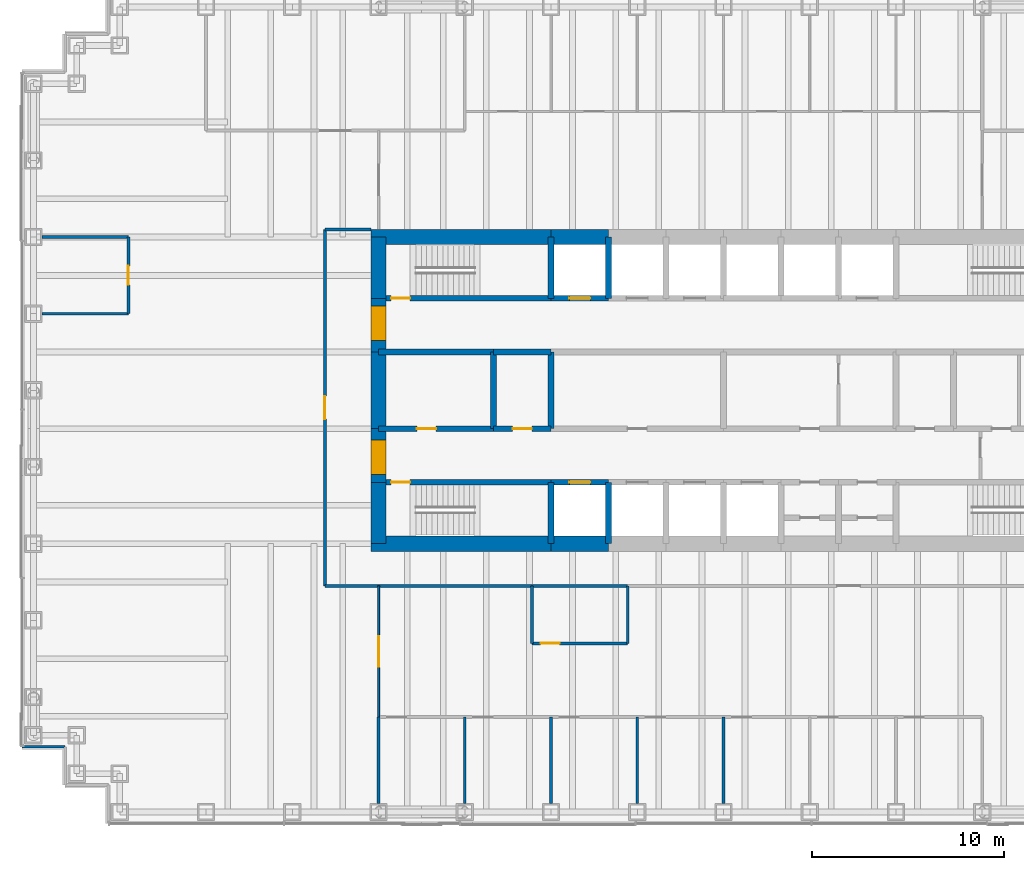
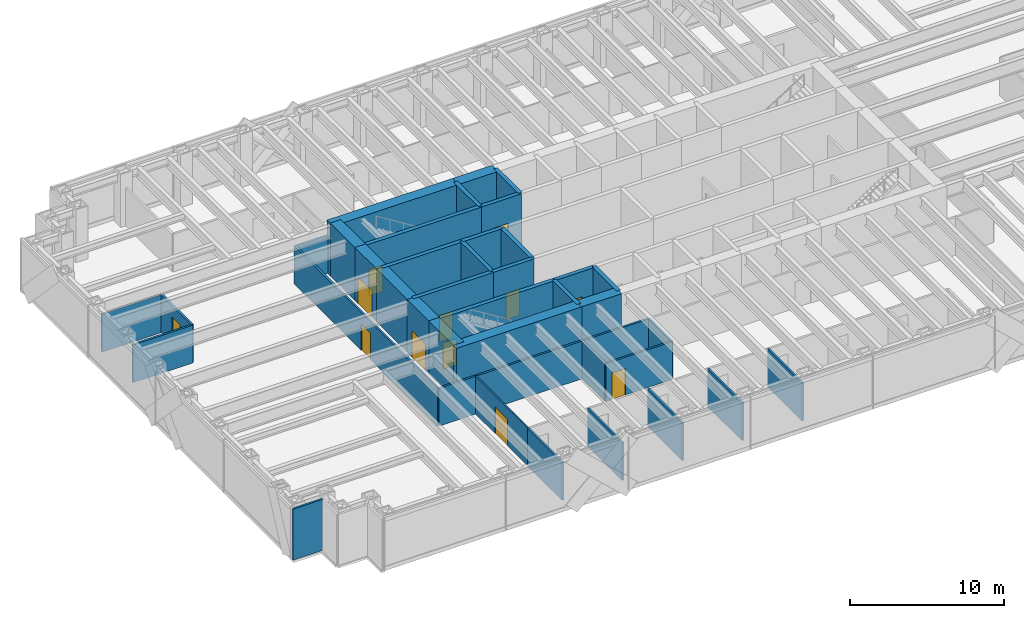
# One storey, part 10 of 14: 40 walls, 12 doors, 12 openings.
"""IFC4 building model written with IfcOpenShell, lengths in metres."""

from ifc_helpers import new_model, si_unit, direction, frame, frame_2d, origin, place, context, subcontext, project, spatial, rectangle, extrude, material, layer, layer_set, type_object, element, fill, save


model = new_model("IFC4")

# Units and contexts
model_context = context("Model", 3, precision=1e-05, world=origin(), true_north=direction((0.0, 1.0)))
body_context = subcontext(model_context, "Body", "Model", "MODEL_VIEW")
ifc_project = project(units=[si_unit("LENGTHUNIT", "METRE"), si_unit("AREAUNIT", "SQUARE_METRE"), si_unit("VOLUMEUNIT", "CUBIC_METRE"), si_unit("PLANEANGLEUNIT", "RADIAN"), si_unit("MASSUNIT", "GRAM", prefix="KILO")], contexts=[model_context])

# Site, building, storey
site_placement = place(None, origin())
site = spatial("IfcSite", under=ifc_project, at=site_placement, CompositionType="ELEMENT")
building_placement = place(site_placement, origin())
building = spatial("IfcBuilding", under=site, at=building_placement, Name="Rheinbord Bourse Tower", CompositionType="ELEMENT")
storey_placement = place(building_placement, frame((0.0, 0.0, 198.39990234375)))
storey = spatial("IfcBuildingStorey", under=building, at=storey_placement, Name="L44", CompositionType="ELEMENT", Elevation=198.39990234375)

# Wall, opening, door
ifc_material_1 = material(Name="Concrete C50/60", Category="concrete")
ifc_layer_1 = layer(ifc_material_1, 0.300048828125)
ifc_layer_set_1 = layer_set([ifc_layer_1], Name="CORE INNER WALL 300")
wall_type_1 = type_object("IfcWallType", Name="CORE INNER WALL 300", PredefinedType="SOLIDWALL", material=ifc_layer_set_1)
wall_1_placement = place(storey_placement, frame((18.0, 19.199951171875, 0.0), z_axis=(0.0, 0.0, 1.0), x_axis=(1.0, 0.0, 0.0)))
wall_1 = element("IfcWall", 1, at=wall_1_placement, inside=storey, type_object=wall_type_1, Name="Core wall A1 L44", PredefinedType="SOLIDWALL", context=body_context, shape_type="SweptSolid", body=[
    extrude(rectangle(XDim=9.0, YDim=0.300048828125, at=frame_2d((4.5, 0.0))), origin(), (0.0, 0.0, 1.0), 4.2001953125),
])
opening_1_placement = place(wall_1_placement, frame((0.64990234375, 0.0, 0.0)))
opening_1 = element("IfcOpeningElement", 2, at=opening_1_placement, cuts=wall_1, Name="Opening 4410", PredefinedType="OPENING", context=body_context, shape_type="SweptSolid", body=[
    extrude(rectangle(XDim=1.0, YDim=2.10009765625, at=frame_2d((0.5, 1.050048828125))), frame((0.0, 0.159912109375, 0.0), z_axis=(0.0, -1.0, 0.0), x_axis=(1.0, 0.0, 0.0)), (0.0, 0.0, 1.0), 0.320068359375),
])
ifc_material_2 = material(Name="Steel door", Category="steel")
door_type_1 = type_object("IfcDoorType", Name="DOOR 1000 EI30", OperationType="SINGLE_SWING_LEFT", PredefinedType="DOOR", material=ifc_material_2)
door_1_placement = place(opening_1_placement, origin())
door_1 = element("IfcDoor", 3, at=door_1_placement, inside=storey, type_object=door_type_1, Name="Stair door ST1 L44", OperationType="SINGLE_SWING_LEFT", OverallHeight=2.10009765625, OverallWidth=1.0, PredefinedType="DOOR", context=body_context, shape_type="SweptSolid", body=[
    extrude(rectangle(XDim=1.0, YDim=2.10009765625, at=frame_2d((0.5, 1.050048828125))), frame((0.0, 0.02490234375, 0.0), z_axis=(0.0, -1.0, 0.0), x_axis=(1.0, 0.0, 0.0)), (0.0, 0.0, 1.0), 0.050048828125),
])
fill(opening_1, door_1)

wall_2_placement = place(storey_placement, frame((27.0, 19.199951171875, 0.0), z_axis=(0.0, 0.0, 1.0), x_axis=(1.0, 0.0, 0.0)))
wall_2 = element("IfcWall", 4, at=wall_2_placement, inside=storey, type_object=wall_type_1, Name="Core wall A2 L44", PredefinedType="SOLIDWALL", context=body_context, shape_type="SweptSolid", body=[
    extrude(rectangle(XDim=3.0, YDim=0.300048828125, at=frame_2d((1.5, 0.0))), origin(), (0.0, 0.0, 1.0), 4.2001953125),
])
opening_2_placement = place(wall_2_placement, frame((0.949951171875, 0.0, 0.0)))
opening_2 = element("IfcOpeningElement", 5, at=opening_2_placement, cuts=wall_2, Name="Opening FL1", PredefinedType="OPENING", context=body_context, shape_type="SweptSolid", body=[
    extrude(rectangle(XDim=1.10009765625, YDim=2.199951171875, at=frame_2d((0.550048828125, 1.10009765625))), frame((0.0, 0.159912109375, 0.0), z_axis=(0.0, -1.0, 0.0), x_axis=(1.0, 0.0, 0.0)), (0.0, 0.0, 1.0), 0.320068359375),
])
ifc_material_3 = material(Name="Steel landing door", Category="steel")
door_type_2 = type_object("IfcDoorType", Name="LIFT LANDING DOOR 1100", OperationType="DOUBLE_DOOR_SLIDING", PredefinedType="USERDEFINED", material=ifc_material_3)
door_2_placement = place(opening_2_placement, origin())
door_2 = element("IfcDoor", 6, at=door_2_placement, inside=storey, type_object=door_type_2, Name="Lift landing door FL1 L44", ObjectType="LIFT LANDING DOOR", OperationType="DOUBLE_DOOR_SLIDING", OverallHeight=2.199951171875, OverallWidth=1.10009765625, PredefinedType="USERDEFINED", context=body_context, shape_type="SweptSolid", body=[
    extrude(rectangle(XDim=1.10009765625, YDim=2.199951171875, at=frame_2d((0.550048828125, 1.10009765625))), frame((0.0, 0.02490234375, 0.0), z_axis=(0.0, -1.0, 0.0), x_axis=(1.0, 0.0, 0.0)), (0.0, 0.0, 1.0), 0.050048828125),
])
fill(opening_2, door_2)

wall_3_placement = place(storey_placement, frame((18.0, 28.800048828125, 0.0), z_axis=(0.0, 0.0, 1.0), x_axis=(1.0, 0.0, 0.0)))
wall_3 = element("IfcWall", 7, at=wall_3_placement, inside=storey, type_object=wall_type_1, Name="Core wall B1 L44", PredefinedType="SOLIDWALL", context=body_context, shape_type="SweptSolid", body=[
    extrude(rectangle(XDim=9.0, YDim=0.300048828125, at=frame_2d((4.5, 0.0))), origin(), (0.0, 0.0, 1.0), 4.2001953125),
])
opening_3_placement = place(wall_3_placement, frame((0.64990234375, 0.0, 0.0)))
opening_3 = element("IfcOpeningElement", 8, at=opening_3_placement, cuts=wall_3, Name="Opening 4420", PredefinedType="OPENING", context=body_context, shape_type="SweptSolid", body=[
    extrude(rectangle(XDim=1.0, YDim=2.10009765625, at=frame_2d((0.5, 1.050048828125))), frame((0.0, 0.159912109375, 0.0), z_axis=(0.0, -1.0, 0.0), x_axis=(1.0, 0.0, 0.0)), (0.0, 0.0, 1.0), 0.320068359375),
])
door_3_placement = place(opening_3_placement, origin())
door_3 = element("IfcDoor", 9, at=door_3_placement, inside=storey, type_object=door_type_1, Name="Stair door ST2 L44", OperationType="SINGLE_SWING_LEFT", OverallHeight=2.10009765625, OverallWidth=1.0, PredefinedType="DOOR", context=body_context, shape_type="SweptSolid", body=[
    extrude(rectangle(XDim=1.0, YDim=2.10009765625, at=frame_2d((0.5, 1.050048828125))), frame((0.0, 0.02490234375, 0.0), z_axis=(0.0, -1.0, 0.0), x_axis=(1.0, 0.0, 0.0)), (0.0, 0.0, 1.0), 0.050048828125),
])
fill(opening_3, door_3)

wall_4_placement = place(storey_placement, frame((27.0, 28.800048828125, 0.0), z_axis=(0.0, 0.0, 1.0), x_axis=(1.0, 0.0, 0.0)))
wall_4 = element("IfcWall", 10, at=wall_4_placement, inside=storey, type_object=wall_type_1, Name="Core wall B2 L44", PredefinedType="SOLIDWALL", context=body_context, shape_type="SweptSolid", body=[
    extrude(rectangle(XDim=3.0, YDim=0.300048828125, at=frame_2d((1.5, 0.0))), origin(), (0.0, 0.0, 1.0), 4.2001953125),
])
opening_4_placement = place(wall_4_placement, frame((0.949951171875, 0.0, 0.0)))
opening_4 = element("IfcOpeningElement", 11, at=opening_4_placement, cuts=wall_4, Name="Opening GL1", PredefinedType="OPENING", context=body_context, shape_type="SweptSolid", body=[
    extrude(rectangle(XDim=1.10009765625, YDim=2.199951171875, at=frame_2d((0.550048828125, 1.10009765625))), frame((0.0, 0.159912109375, 0.0), z_axis=(0.0, -1.0, 0.0), x_axis=(1.0, 0.0, 0.0)), (0.0, 0.0, 1.0), 0.320068359375),
])
door_4_placement = place(opening_4_placement, origin())
door_4 = element("IfcDoor", 12, at=door_4_placement, inside=storey, type_object=door_type_2, Name="Lift landing door GL1 L44", ObjectType="LIFT LANDING DOOR", OperationType="DOUBLE_DOOR_SLIDING", OverallHeight=2.199951171875, OverallWidth=1.10009765625, PredefinedType="USERDEFINED", context=body_context, shape_type="SweptSolid", body=[
    extrude(rectangle(XDim=1.10009765625, YDim=2.199951171875, at=frame_2d((0.550048828125, 1.10009765625))), frame((0.0, 0.02490234375, 0.0), z_axis=(0.0, -1.0, 0.0), x_axis=(1.0, 0.0, 0.0)), (0.0, 0.0, 1.0), 0.050048828125),
])
fill(opening_4, door_4)

wall_5_placement = place(storey_placement, frame((18.0, 22.0, 0.0), z_axis=(0.0, 0.0, 1.0), x_axis=(1.0, 0.0, 0.0)))
wall_5 = element("IfcWall", 13, at=wall_5_placement, inside=storey, type_object=wall_type_1, Name="Core wall C1 L44", PredefinedType="SOLIDWALL", context=body_context, shape_type="SweptSolid", body=[
    extrude(rectangle(XDim=6.0, YDim=0.300048828125, at=frame_2d((3.0, 0.0))), origin(), (0.0, 0.0, 1.0), 4.2001953125),
])
opening_5_placement = place(wall_5_placement, frame((2.0, 0.0, 0.0)))
opening_5 = element("IfcOpeningElement", 14, at=opening_5_placement, cuts=wall_5, Name="Opening 44R1", PredefinedType="OPENING", context=body_context, shape_type="SweptSolid", body=[
    extrude(rectangle(XDim=1.0, YDim=2.10009765625, at=frame_2d((0.5, 1.050048828125))), frame((0.0, 0.159912109375, 0.0), z_axis=(0.0, -1.0, 0.0), x_axis=(1.0, 0.0, 0.0)), (0.0, 0.0, 1.0), 0.320068359375),
])
ifc_material_4 = material(Name="Timber door", Category="wood")
door_type_3 = type_object("IfcDoorType", Name="DOOR 1000 WC", OperationType="SINGLE_SWING_LEFT", PredefinedType="DOOR", material=ifc_material_4)
door_5_placement = place(opening_5_placement, origin())
door_5 = element("IfcDoor", 15, at=door_5_placement, inside=storey, type_object=door_type_3, Name="WC men door L44", OperationType="SINGLE_SWING_LEFT", OverallHeight=2.10009765625, OverallWidth=1.0, PredefinedType="DOOR", context=body_context, shape_type="SweptSolid", body=[
    extrude(rectangle(XDim=1.0, YDim=2.10009765625, at=frame_2d((0.5, 1.050048828125))), frame((0.0, 0.02490234375, 0.0), z_axis=(0.0, -1.0, 0.0), x_axis=(1.0, 0.0, 0.0)), (0.0, 0.0, 1.0), 0.050048828125),
])
fill(opening_5, door_5)

wall_6_placement = place(storey_placement, frame((24.0, 22.0, 0.0), z_axis=(0.0, 0.0, 1.0), x_axis=(1.0, 0.0, 0.0)))
wall_6 = element("IfcWall", 16, at=wall_6_placement, inside=storey, type_object=wall_type_1, Name="Core wall C2 L44", PredefinedType="SOLIDWALL", context=body_context, shape_type="SweptSolid", body=[
    extrude(rectangle(XDim=3.0, YDim=0.300048828125, at=frame_2d((1.5, 0.0))), origin(), (0.0, 0.0, 1.0), 4.2001953125),
])
opening_6_placement = place(wall_6_placement, frame((1.0, 0.0, 0.0)))
opening_6 = element("IfcOpeningElement", 17, at=opening_6_placement, cuts=wall_6, Name="Opening 44R2", PredefinedType="OPENING", context=body_context, shape_type="SweptSolid", body=[
    extrude(rectangle(XDim=1.0, YDim=2.10009765625, at=frame_2d((0.5, 1.050048828125))), frame((0.0, 0.159912109375, 0.0), z_axis=(0.0, -1.0, 0.0), x_axis=(1.0, 0.0, 0.0)), (0.0, 0.0, 1.0), 0.320068359375),
])
door_6_placement = place(opening_6_placement, origin())
door_6 = element("IfcDoor", 18, at=door_6_placement, inside=storey, type_object=door_type_3, Name="Accessible WC door L44", OperationType="SINGLE_SWING_LEFT", OverallHeight=2.10009765625, OverallWidth=1.0, PredefinedType="DOOR", context=body_context, shape_type="SweptSolid", body=[
    extrude(rectangle(XDim=1.0, YDim=2.10009765625, at=frame_2d((0.5, 1.050048828125))), frame((0.0, 0.02490234375, 0.0), z_axis=(0.0, -1.0, 0.0), x_axis=(1.0, 0.0, 0.0)), (0.0, 0.0, 1.0), 0.050048828125),
])
fill(opening_6, door_6)

# Walls
wall_7_placement = place(storey_placement, frame((18.0, 26.0, 0.0), z_axis=(0.0, 0.0, 1.0), x_axis=(1.0, 0.0, 0.0)))
element("IfcWall", 19, at=wall_7_placement, inside=storey, type_object=wall_type_1, Name="Core wall D1 L44", PredefinedType="SOLIDWALL", context=body_context, shape_type="SweptSolid", body=[
    extrude(rectangle(XDim=6.0, YDim=0.300048828125, at=frame_2d((3.0, 0.0))), origin(), (0.0, 0.0, 1.0), 4.2001953125),
])
wall_8_placement = place(storey_placement, frame((24.0, 26.0, 0.0), z_axis=(0.0, 0.0, 1.0), x_axis=(1.0, 0.0, 0.0)))
element("IfcWall", 20, at=wall_8_placement, inside=storey, type_object=wall_type_1, Name="Core wall D2 L44", PredefinedType="SOLIDWALL", context=body_context, shape_type="SweptSolid", body=[
    extrude(rectangle(XDim=3.0, YDim=0.300048828125, at=frame_2d((1.5, 0.0))), origin(), (0.0, 0.0, 1.0), 4.2001953125),
])
for number, where, z_axis, x_axis, name in (
    (21, (27.0, 16.0, 0.0), (0.0, 0.0, 1.0), (0.0, 1.0, 0.0), "Core wall SX27 L44"),
    (22, (27.0, 28.800048828125, 0.0), (0.0, 0.0, 1.0), (0.0, 1.0, 0.0), "Core wall NX27 L44"),
    (23, (30.0, 16.0, 0.0), (0.0, 0.0, 1.0), (0.0, 1.0, 0.0), "Core wall SX30 L44"),
    (24, (30.0, 28.800048828125, 0.0), (0.0, 0.0, 1.0), (0.0, 1.0, 0.0), "Core wall NX30 L44"),
):
    element("IfcWall", number, at=place(storey_placement, frame(where, z_axis=z_axis, x_axis=x_axis)), inside=storey, type_object=wall_type_1, Name=name, PredefinedType="SOLIDWALL", context=body_context, shape_type="SweptSolid", body=[
        extrude(rectangle(XDim=3.199951171875, YDim=0.300048828125, at=frame_2d((1.60009765625, 0.0))), origin(), (0.0, 0.0, 1.0), 4.2001953125),
    ])
for number, where, z_axis, x_axis, name in (
    (25, (24.0, 22.0, 0.0), (0.0, 0.0, 1.0), (0.0, 1.0, 0.0), "Core wall MX24 L44"),
    (26, (27.0, 22.0, 0.0), (0.0, 0.0, 1.0), (0.0, 1.0, 0.0), "Core wall MX27 L44"),
):
    element("IfcWall", number, at=place(storey_placement, frame(where, z_axis=z_axis, x_axis=x_axis)), inside=storey, type_object=wall_type_1, Name=name, PredefinedType="SOLIDWALL", context=body_context, shape_type="SweptSolid", body=[
        extrude(rectangle(XDim=4.0, YDim=0.300048828125, at=frame_2d((2.0, 0.0))), origin(), (0.0, 0.0, 1.0), 4.2001953125),
    ])
ifc_material_5 = material(Name="Concrete C50/60", Category="concrete")
ifc_layer_2 = layer(ifc_material_5, 0.800048828125)
ifc_layer_set_2 = layer_set([ifc_layer_2], Name="CORE WALL 800")
wall_type_2 = type_object("IfcWallType", Name="CORE WALL 800", PredefinedType="SHEAR", material=ifc_layer_set_2)
wall_9_placement = place(storey_placement, frame((17.60009765625, 16.0, 0.0), z_axis=(0.0, 0.0, 1.0), x_axis=(1.0, 0.0, 0.0)))
element("IfcWall", 27, at=wall_9_placement, inside=storey, type_object=wall_type_2, Name="Core wall S1 L44", PredefinedType="SHEAR", context=body_context, shape_type="SweptSolid", body=[
    extrude(rectangle(XDim=9.39990234375, YDim=0.800048828125, at=frame_2d((4.699951171875, 0.0))), origin(), (0.0, 0.0, 1.0), 4.2001953125),
])
for number, where, z_axis, x_axis, name in (
    (28, (27.0, 16.0, 0.0), (0.0, 0.0, 1.0), (1.0, 0.0, 0.0), "Core wall S2 L44"),
    (29, (30.0, 32.0, 0.0), (0.0, 0.0, 1.0), (-1.0, 0.0, 0.0), "Core wall N7 L44"),
):
    element("IfcWall", number, at=place(storey_placement, frame(where, z_axis=z_axis, x_axis=x_axis)), inside=storey, type_object=wall_type_2, Name=name, PredefinedType="SHEAR", context=body_context, shape_type="SweptSolid", body=[
        extrude(rectangle(XDim=3.0, YDim=0.800048828125, at=frame_2d((1.5, 0.0))), origin(), (0.0, 0.0, 1.0), 4.2001953125),
    ])
wall_10_placement = place(storey_placement, frame((27.0, 32.0, 0.0), z_axis=(0.0, 0.0, 1.0), x_axis=(-1.0, 0.0, 0.0)))
element("IfcWall", 30, at=wall_10_placement, inside=storey, type_object=wall_type_2, Name="Core wall N8 L44", PredefinedType="SHEAR", context=body_context, shape_type="SweptSolid", body=[
    extrude(rectangle(XDim=9.39990234375, YDim=0.800048828125, at=frame_2d((4.699951171875, 0.0))), origin(), (0.0, 0.0, 1.0), 4.2001953125),
])
wall_11_placement = place(storey_placement, frame((18.0, 32.0, 0.0), z_axis=(0.0, 0.0, 1.0), x_axis=(0.0, -1.0, 0.0)))
element("IfcWall", 31, at=wall_11_placement, inside=storey, type_object=wall_type_2, Name="Core wall W1 L44", PredefinedType="SHEAR", context=body_context, shape_type="SweptSolid", body=[
    extrude(rectangle(XDim=3.199951171875, YDim=0.800048828125, at=frame_2d((1.60009765625, 0.0))), origin(), (0.0, 0.0, 1.0), 4.2001953125),
])

# Wall, opening, door
wall_12_placement = place(storey_placement, frame((18.0, 28.800048828125, 0.0), z_axis=(0.0, 0.0, 1.0), x_axis=(0.0, -1.0, 0.0)))
wall_12 = element("IfcWall", 32, at=wall_12_placement, inside=storey, type_object=wall_type_2, Name="Core wall W2 L44", PredefinedType="SHEAR", context=body_context, shape_type="SweptSolid", body=[
    extrude(rectangle(XDim=2.800048828125, YDim=0.800048828125, at=frame_2d((1.39990234375, 0.0))), origin(), (0.0, 0.0, 1.0), 4.2001953125),
])
opening_7_placement = place(wall_12_placement, frame((0.39990234375, 0.0, 0.0)))
opening_7 = element("IfcOpeningElement", 33, at=opening_7_placement, cuts=wall_12, Name="Opening 44L2", PredefinedType="OPENING", context=body_context, shape_type="SweptSolid", body=[
    extrude(rectangle(XDim=1.800048828125, YDim=2.10009765625, at=frame_2d((0.89990234375, 1.050048828125))), frame((0.0, 0.409912109375, 0.0), z_axis=(0.0, -1.0, 0.0), x_axis=(1.0, 0.0, 0.0)), (0.0, 0.0, 1.0), 0.820068359375),
])
ifc_material_6 = material(Name="Steel door", Category="steel")
door_type_4 = type_object("IfcDoorType", Name="DOOR 1800 EI30 DOUBLE", OperationType="DOUBLE_DOOR_DOUBLE_SWING", PredefinedType="DOOR", material=ifc_material_6)
door_7_placement = place(opening_7_placement, origin())
door_7 = element("IfcDoor", 34, at=door_7_placement, inside=storey, type_object=door_type_4, Name="Lobby door 2 L44", OperationType="SINGLE_SWING_LEFT", OverallHeight=2.10009765625, OverallWidth=1.800048828125, PredefinedType="DOOR", context=body_context, shape_type="SweptSolid", body=[
    extrude(rectangle(XDim=1.800048828125, YDim=2.10009765625, at=frame_2d((0.89990234375, 1.050048828125))), frame((0.0, 0.39990234375, 0.0), z_axis=(0.0, -1.0, 0.0), x_axis=(1.0, 0.0, 0.0)), (0.0, 0.0, 1.0), 0.799560546875),
])
fill(opening_7, door_7)

# Wall
wall_13_placement = place(storey_placement, frame((18.0, 26.0, 0.0), z_axis=(0.0, 0.0, 1.0), x_axis=(0.0, -1.0, 0.0)))
element("IfcWall", 35, at=wall_13_placement, inside=storey, type_object=wall_type_2, Name="Core wall W3 L44", PredefinedType="SHEAR", context=body_context, shape_type="SweptSolid", body=[
    extrude(rectangle(XDim=4.0, YDim=0.800048828125, at=frame_2d((2.0, 0.0))), origin(), (0.0, 0.0, 1.0), 4.2001953125),
])

# Wall, opening, door
wall_14_placement = place(storey_placement, frame((18.0, 22.0, 0.0), z_axis=(0.0, 0.0, 1.0), x_axis=(0.0, -1.0, 0.0)))
wall_14 = element("IfcWall", 36, at=wall_14_placement, inside=storey, type_object=wall_type_2, Name="Core wall W4 L44", PredefinedType="SHEAR", context=body_context, shape_type="SweptSolid", body=[
    extrude(rectangle(XDim=2.800048828125, YDim=0.800048828125, at=frame_2d((1.39990234375, 0.0))), origin(), (0.0, 0.0, 1.0), 4.2001953125),
])
opening_8_placement = place(wall_14_placement, frame((0.60009765625, 0.0, 0.0)))
opening_8 = element("IfcOpeningElement", 37, at=opening_8_placement, cuts=wall_14, Name="Opening 44L1", PredefinedType="OPENING", context=body_context, shape_type="SweptSolid", body=[
    extrude(rectangle(XDim=1.800048828125, YDim=2.10009765625, at=frame_2d((0.89990234375, 1.050048828125))), frame((0.0, 0.409912109375, 0.0), z_axis=(0.0, -1.0, 0.0), x_axis=(1.0, 0.0, 0.0)), (0.0, 0.0, 1.0), 0.820068359375),
])
door_8_placement = place(opening_8_placement, origin())
door_8 = element("IfcDoor", 38, at=door_8_placement, inside=storey, type_object=door_type_4, Name="Lobby door 1 L44", OperationType="SINGLE_SWING_LEFT", OverallHeight=2.10009765625, OverallWidth=1.800048828125, PredefinedType="DOOR", context=body_context, shape_type="SweptSolid", body=[
    extrude(rectangle(XDim=1.800048828125, YDim=2.10009765625, at=frame_2d((0.89990234375, 1.050048828125))), frame((0.0, 0.39990234375, 0.0), z_axis=(0.0, -1.0, 0.0), x_axis=(1.0, 0.0, 0.0)), (0.0, 0.0, 1.0), 0.799560546875),
])
fill(opening_8, door_8)

# Walls
wall_15_placement = place(storey_placement, frame((18.0, 19.199951171875, 0.0), z_axis=(0.0, 0.0, 1.0), x_axis=(0.0, -1.0, 0.0)))
element("IfcWall", 39, at=wall_15_placement, inside=storey, type_object=wall_type_2, Name="Core wall W5 L44", PredefinedType="SHEAR", context=body_context, shape_type="SweptSolid", body=[
    extrude(rectangle(XDim=3.199951171875, YDim=0.800048828125, at=frame_2d((1.60009765625, 0.0))), origin(), (0.0, 0.0, 1.0), 4.2001953125),
])
ifc_material_7 = material(Name="Black metal rainscreen panel", Category="aluminium")
ifc_layer_3 = layer(ifc_material_7, 0.14990234375)
ifc_layer_set_3 = layer_set([ifc_layer_3], Name="CORNER PIER CLADDING 150")
wall_type_3 = type_object("IfcWallType", Name="CORNER PIER CLADDING 150", PredefinedType="ELEMENTEDWALL", material=ifc_layer_set_3)
wall_16_placement = place(storey_placement, frame((-0.60009765625, 5.39990234375, 0.0), z_axis=(0.0, 0.0, 1.0), x_axis=(1.0, 0.0, 0.0)))
element("IfcWall", 40, at=wall_16_placement, inside=storey, type_object=wall_type_3, Name="Corner pier cladding L44 17", PredefinedType="ELEMENTEDWALL", context=body_context, shape_type="SweptSolid", body=[
    extrude(rectangle(XDim=2.25, YDim=0.14990234375, at=frame_2d((1.125, 0.0))), origin(), (0.0, 0.0, 1.0), 4.0400390625),
])
ifc_material_8 = material(Name="Gypsum board corridor partition", Category="gypsum board")
ifc_layer_4 = layer(ifc_material_8, 0.14990234375)
ifc_layer_set_4 = layer_set([ifc_layer_4], Name="CORRIDOR PARTITION 150 EI30")
wall_type_4 = type_object("IfcWallType", Name="CORRIDOR PARTITION 150 EI30", PredefinedType="PARTITIONING", material=ifc_layer_set_4)
wall_17_placement = place(storey_placement, frame((15.199951171875, 13.800048828125, 0.0), z_axis=(0.0, 0.0, 1.0), x_axis=(1.0, 0.0, 0.0)))
element("IfcWall", 41, at=wall_17_placement, inside=storey, type_object=wall_type_4, Name="Partition L44-03", PredefinedType="PARTITIONING", context=body_context, shape_type="SweptSolid", body=[
    extrude(rectangle(XDim=10.800048828125, YDim=0.14990234375, at=frame_2d((5.39990234375, 0.0))), origin(), (0.0, 0.0, 1.0), 3.0),
])
wall_18_placement = place(storey_placement, frame((15.199951171875, 32.39990234375, 0.0), z_axis=(0.0, 0.0, 1.0), x_axis=(1.0, 0.0, 0.0)))
element("IfcWall", 42, at=wall_18_placement, inside=storey, type_object=wall_type_4, Name="Partition L44-10", PredefinedType="PARTITIONING", context=body_context, shape_type="SweptSolid", body=[
    extrude(rectangle(XDim=2.400146484375, YDim=0.14990234375, at=frame_2d((1.2001953125, 0.0))), origin(), (0.0, 0.0, 1.0), 3.0),
])

# Wall, opening, door
wall_19_placement = place(storey_placement, frame((15.199951171875, 13.800048828125, 0.0), z_axis=(0.0, 0.0, 1.0), x_axis=(0.0, 1.0, 0.0)))
wall_19 = element("IfcWall", 43, at=wall_19_placement, inside=storey, type_object=wall_type_4, Name="Partition L44-17", PredefinedType="PARTITIONING", context=body_context, shape_type="SweptSolid", body=[
    extrude(rectangle(XDim=18.599853515625, YDim=0.14990234375, at=frame_2d((9.2998046875, 0.0))), origin(), (0.0, 0.0, 1.0), 3.0),
])
opening_9_placement = place(wall_19_placement, frame((8.699951171875, 0.0, 0.0)))
opening_9 = element("IfcOpeningElement", 44, at=opening_9_placement, cuts=wall_19, Name="Opening 44D23", PredefinedType="OPENING", context=body_context, shape_type="SweptSolid", body=[
    extrude(rectangle(XDim=1.199951171875, YDim=2.10009765625, at=frame_2d((0.60009765625, 1.050048828125))), frame((0.0, 0.0849609375, 0.0), z_axis=(0.0, -1.0, 0.0), x_axis=(1.0, 0.0, 0.0)), (0.0, 0.0, 1.0), 0.169921875),
])
ifc_material_9 = material(Name="Timber fire door", Category="wood")
door_type_5 = type_object("IfcDoorType", Name="SUITE ENTRANCE DOOR 1200 EI30", OperationType="SINGLE_SWING_LEFT", PredefinedType="DOOR", material=ifc_material_9)
door_9_placement = place(opening_9_placement, origin())
door_9 = element("IfcDoor", 45, at=door_9_placement, inside=storey, type_object=door_type_5, Name="Suite entrance 1 door L44", OperationType="SINGLE_SWING_LEFT", OverallHeight=2.10009765625, OverallWidth=1.199951171875, PredefinedType="DOOR", context=body_context, shape_type="SweptSolid", body=[
    extrude(rectangle(XDim=1.199951171875, YDim=2.10009765625, at=frame_2d((0.60009765625, 1.050048828125))), frame((0.0, 0.02490234375, 0.0), z_axis=(0.0, -1.0, 0.0), x_axis=(1.0, 0.0, 0.0)), (0.0, 0.0, 1.0), 0.050048828125),
])
fill(opening_9, door_9)

ifc_material_10 = material(Name="Gypsum board fire partition", Category="gypsum board")
ifc_layer_5 = layer(ifc_material_10, 0.14990234375)
ifc_layer_set_5 = layer_set([ifc_layer_5], Name="FIRE PARTITION 150 EI60")
wall_type_5 = type_object("IfcWallType", Name="FIRE PARTITION 150 EI60", PredefinedType="PARTITIONING", material=ifc_layer_set_5)
wall_20_placement = place(storey_placement, frame((26.0, 10.800048828125, 0.0), z_axis=(0.0, 0.0, 1.0), x_axis=(1.0, 0.0, 0.0)))
wall_20 = element("IfcWall", 46, at=wall_20_placement, inside=storey, type_object=wall_type_5, Name="Partition L44-02", PredefinedType="PARTITIONING", context=body_context, shape_type="SweptSolid", body=[
    extrude(rectangle(XDim=5.0, YDim=0.14990234375, at=frame_2d((2.5, 0.0))), origin(), (0.0, 0.0, 1.0), 3.0),
])
opening_10_placement = place(wall_20_placement, frame((0.449951171875, 0.0, 0.0)))
opening_10 = element("IfcOpeningElement", 47, at=opening_10_placement, cuts=wall_20, Name="Opening 44D08", PredefinedType="OPENING", context=body_context, shape_type="SweptSolid", body=[
    extrude(rectangle(XDim=1.0, YDim=2.10009765625, at=frame_2d((0.5, 1.050048828125))), frame((0.0, 0.0849609375, 0.0), z_axis=(0.0, -1.0, 0.0), x_axis=(1.0, 0.0, 0.0)), (0.0, 0.0, 1.0), 0.169921875),
])
ifc_material_11 = material(Name="Timber fire door", Category="wood")
door_type_6 = type_object("IfcDoorType", Name="FIRE DOOR 1000 EI60", OperationType="SINGLE_SWING_LEFT", PredefinedType="DOOR", material=ifc_material_11)
door_10_placement = place(opening_10_placement, origin())
door_10 = element("IfcDoor", 48, at=door_10_placement, inside=storey, type_object=door_type_6, Name="Comms room door L44", OperationType="SINGLE_SWING_LEFT", OverallHeight=2.10009765625, OverallWidth=1.0, PredefinedType="DOOR", context=body_context, shape_type="SweptSolid", body=[
    extrude(rectangle(XDim=1.0, YDim=2.10009765625, at=frame_2d((0.5, 1.050048828125))), frame((0.0, 0.02490234375, 0.0), z_axis=(0.0, -1.0, 0.0), x_axis=(1.0, 0.0, 0.0)), (0.0, 0.0, 1.0), 0.050048828125),
])
fill(opening_10, door_10)

# Walls
wall_21_placement = place(storey_placement, frame((26.0, 13.800048828125, 0.0), z_axis=(0.0, 0.0, 1.0), x_axis=(1.0, 0.0, 0.0)))
element("IfcWall", 49, at=wall_21_placement, inside=storey, type_object=wall_type_5, Name="Partition L44-04", PredefinedType="PARTITIONING", context=body_context, shape_type="SweptSolid", body=[
    extrude(rectangle(XDim=5.0, YDim=0.14990234375, at=frame_2d((2.5, 0.0))), origin(), (0.0, 0.0, 1.0), 3.0),
])
for number, where, z_axis, x_axis, name in (
    (50, (0.449951171875, 28.0, 0.0), (0.0, 0.0, 1.0), (1.0, 0.0, 0.0), "Partition L44-07"),
    (51, (0.449951171875, 32.0, 0.0), (0.0, 0.0, 1.0), (1.0, 0.0, 0.0), "Partition L44-09"),
):
    element("IfcWall", number, at=place(storey_placement, frame(where, z_axis=z_axis, x_axis=x_axis)), inside=storey, type_object=wall_type_5, Name=name, PredefinedType="PARTITIONING", context=body_context, shape_type="SweptSolid", body=[
        extrude(rectangle(XDim=4.5, YDim=0.14990234375, at=frame_2d((2.25, 0.0))), origin(), (0.0, 0.0, 1.0), 3.0),
    ])

# Wall, opening, door
wall_22_placement = place(storey_placement, frame((4.949951171875, 28.0, 0.0), z_axis=(0.0, 0.0, 1.0), x_axis=(0.0, 1.0, 0.0)))
wall_22 = element("IfcWall", 52, at=wall_22_placement, inside=storey, type_object=wall_type_5, Name="Partition L44-15", PredefinedType="PARTITIONING", context=body_context, shape_type="SweptSolid", body=[
    extrude(rectangle(XDim=4.0, YDim=0.14990234375, at=frame_2d((2.0, 0.0))), origin(), (0.0, 0.0, 1.0), 3.0),
])
opening_11_placement = place(wall_22_placement, frame((1.5, 0.0, 0.0)))
opening_11 = element("IfcOpeningElement", 53, at=opening_11_placement, cuts=wall_22, Name="Opening 44D10", PredefinedType="OPENING", context=body_context, shape_type="SweptSolid", body=[
    extrude(rectangle(XDim=1.0, YDim=2.10009765625, at=frame_2d((0.5, 1.050048828125))), frame((0.0, 0.0849609375, 0.0), z_axis=(0.0, -1.0, 0.0), x_axis=(1.0, 0.0, 0.0)), (0.0, 0.0, 1.0), 0.169921875),
])
door_11_placement = place(opening_11_placement, origin())
door_11 = element("IfcDoor", 54, at=door_11_placement, inside=storey, type_object=door_type_6, Name="Document vault door L44", OperationType="SINGLE_SWING_LEFT", OverallHeight=2.10009765625, OverallWidth=1.0, PredefinedType="DOOR", context=body_context, shape_type="SweptSolid", body=[
    extrude(rectangle(XDim=1.0, YDim=2.10009765625, at=frame_2d((0.5, 1.050048828125))), frame((0.0, 0.02490234375, 0.0), z_axis=(0.0, -1.0, 0.0), x_axis=(1.0, 0.0, 0.0)), (0.0, 0.0, 1.0), 0.050048828125),
])
fill(opening_11, door_11)

# Walls
for number, where, z_axis, x_axis, name in (
    (55, (26.0, 10.800048828125, 0.0), (0.0, 0.0, 1.0), (0.0, 1.0, 0.0), "Partition L44-23"),
    (56, (31.0, 10.800048828125, 0.0), (0.0, 0.0, 1.0), (0.0, 1.0, 0.0), "Partition L44-26"),
):
    element("IfcWall", number, at=place(storey_placement, frame(where, z_axis=z_axis, x_axis=x_axis)), inside=storey, type_object=wall_type_5, Name=name, PredefinedType="PARTITIONING", context=body_context, shape_type="SweptSolid", body=[
        extrude(rectangle(XDim=3.0, YDim=0.14990234375, at=frame_2d((1.5, 0.0))), origin(), (0.0, 0.0, 1.0), 3.0),
    ])

# Wall, opening, door
ifc_material_12 = material(Name="Toughened laminated glass partition", Category="glass")
ifc_layer_6 = layer(ifc_material_12, 0.10009765625)
ifc_layer_set_6 = layer_set([ifc_layer_6], Name="GLAZED PARTITION 100")
wall_type_6 = type_object("IfcWallType", Name="GLAZED PARTITION 100", PredefinedType="PARTITIONING", material=ifc_layer_set_6)
wall_23_placement = place(storey_placement, frame((18.0, 6.949951171875, 0.0), z_axis=(0.0, 0.0, 1.0), x_axis=(0.0, 1.0, 0.0)))
wall_23 = element("IfcWall", 57, at=wall_23_placement, inside=storey, type_object=wall_type_6, Name="Partition L44-19", PredefinedType="PARTITIONING", context=body_context, shape_type="SweptSolid", body=[
    extrude(rectangle(XDim=6.85009765625, YDim=0.10009765625, at=frame_2d((3.425048828125, 0.0))), origin(), (0.0, 0.0, 1.0), 3.0),
])
opening_12_placement = place(wall_23_placement, frame((2.625, 0.0, 0.0)))
opening_12 = element("IfcOpeningElement", 58, at=opening_12_placement, cuts=wall_23, Name="Opening 44D19", PredefinedType="OPENING", context=body_context, shape_type="SweptSolid", body=[
    extrude(rectangle(XDim=1.60009765625, YDim=2.10009765625, at=frame_2d((0.800048828125, 1.050048828125))), frame((0.0, 0.06005859375, 0.0), z_axis=(0.0, -1.0, 0.0), x_axis=(1.0, 0.0, 0.0)), (0.0, 0.0, 1.0), 0.1201171875),
])
ifc_material_13 = material(Name="Timber door", Category="wood")
door_type_7 = type_object("IfcDoorType", Name="DOUBLE ROOM DOOR 1600", OperationType="DOUBLE_DOOR_DOUBLE_SWING", PredefinedType="DOOR", material=ifc_material_13)
door_12_placement = place(opening_12_placement, origin())
door_12 = element("IfcDoor", 59, at=door_12_placement, inside=storey, type_object=door_type_7, Name="Open area door L44", OperationType="SINGLE_SWING_LEFT", OverallHeight=2.10009765625, OverallWidth=1.60009765625, PredefinedType="DOOR", context=body_context, shape_type="SweptSolid", body=[
    extrude(rectangle(XDim=1.60009765625, YDim=2.10009765625, at=frame_2d((0.800048828125, 1.050048828125))), frame((0.0, 0.02490234375, 0.0), z_axis=(0.0, -1.0, 0.0), x_axis=(1.0, 0.0, 0.0)), (0.0, 0.0, 1.0), 0.050048828125),
])
fill(opening_12, door_12)

# Walls
ifc_material_14 = material(Name="Gypsum board partition", Category="gypsum board")
ifc_layer_7 = layer(ifc_material_14, 0.14990234375)
ifc_layer_set_7 = layer_set([ifc_layer_7], Name="PARTITION 150")
wall_type_7 = type_object("IfcWallType", Name="PARTITION 150", PredefinedType="PARTITIONING", material=ifc_layer_set_7)
for number, where, z_axis, x_axis, name in (
    (60, (18.0, 2.449951171875, 0.0), (0.0, 0.0, 1.0), (0.0, 1.0, 0.0), "Partition L44-18"),
    (61, (22.5, 2.449951171875, 0.0), (0.0, 0.0, 1.0), (0.0, 1.0, 0.0), "Partition L44-21"),
    (62, (27.0, 2.449951171875, 0.0), (0.0, 0.0, 1.0), (0.0, 1.0, 0.0), "Partition L44-24"),
    (63, (31.5, 2.449951171875, 0.0), (0.0, 0.0, 1.0), (0.0, 1.0, 0.0), "Partition L44-27"),
    (64, (36.0, 2.449951171875, 0.0), (0.0, 0.0, 1.0), (0.0, 1.0, 0.0), "Partition L44-29"),
):
    element("IfcWall", number, at=place(storey_placement, frame(where, z_axis=z_axis, x_axis=x_axis)), inside=storey, type_object=wall_type_7, Name=name, PredefinedType="PARTITIONING", context=body_context, shape_type="SweptSolid", body=[
        extrude(rectangle(XDim=4.5, YDim=0.14990234375, at=frame_2d((2.25, 0.0))), origin(), (0.0, 0.0, 1.0), 3.0),
    ])

save(model, "model.ifc")
